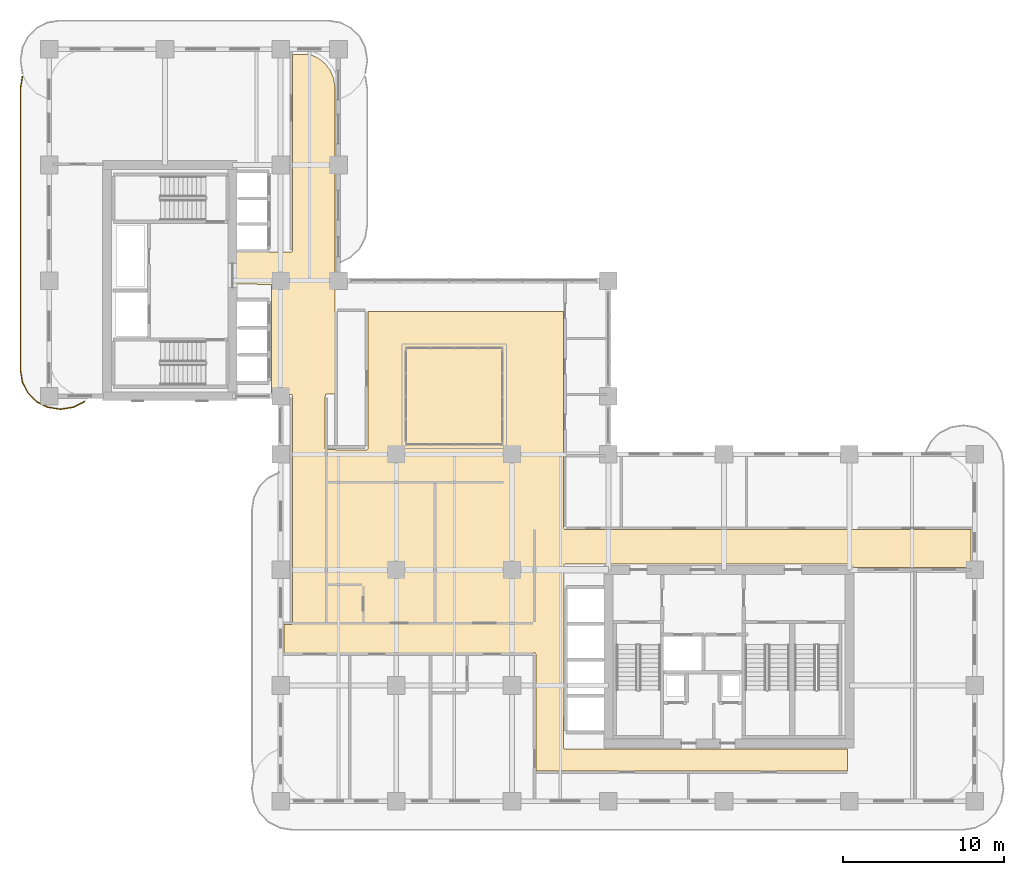
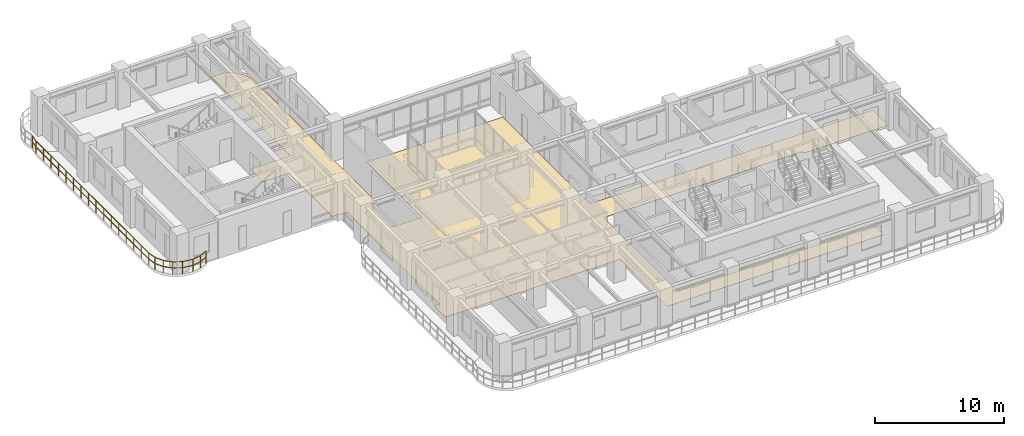
# One storey, part 18 of 19: 1 covering, 1 railing.
"""IFC4 building model written with IfcOpenShell, lengths in metres."""

from ifc_helpers import new_model, si_unit, derived_unit, direction, frame, origin, origin_2d, place, context, subcontext, project, spatial, polyline, rectangle, outline, extrude, material, layer, layer_set, type_object, element, save


model = new_model("IFC4")

# Units and contexts
model_context = context("Model", 3, precision=1e-05, world=origin(), true_north=direction((0.0, 1.0)))
body_context = subcontext(model_context, "Body", "Model", "MODEL_VIEW")
ifc_project = project(units=[si_unit("LENGTHUNIT", "METRE"), si_unit("AREAUNIT", "SQUARE_METRE"), si_unit("VOLUMEUNIT", "CUBIC_METRE"), si_unit("PLANEANGLEUNIT", "RADIAN"), si_unit("MASSUNIT", "GRAM", prefix="KILO"), si_unit("THERMODYNAMICTEMPERATUREUNIT", "KELVIN"), si_unit("POWERUNIT", "WATT"), derived_unit("THERMALTRANSMITTANCEUNIT", [(si_unit("POWERUNIT", "WATT"), 1), (si_unit("AREAUNIT", "SQUARE_METRE"), -1), (si_unit("THERMODYNAMICTEMPERATUREUNIT", "KELVIN"), -1)])], contexts=[model_context])

# Site, building, storey
site_placement = place(None, origin())
site = spatial("IfcSite", under=ifc_project, at=site_placement, CompositionType="ELEMENT")
building_placement = place(site_placement, origin())
building = spatial("IfcBuilding", under=site, at=building_placement, Name="Zahravan Archway Hotel and Residences", CompositionType="ELEMENT")
storey_placement = place(building_placement, frame((0.0, 0.0, 102.699951171875)))
storey = spatial("IfcBuildingStorey", under=building, at=storey_placement, Name="L25", CompositionType="ELEMENT", Elevation=102.699951171875)

# Covering
ifc_material_1 = material(Name="Engineered Walnut Parquet Flooring")
ifc_layer = layer(ifc_material_1, 0.02197265625, Name="Engineered Walnut Parquet Flooring")
ifc_layer_set = layer_set([ifc_layer], Name="Engineered Walnut Parquet Flooring")
covering_type = type_object("IfcCoveringType", Name="COV-FLR-TIMB", PredefinedType="FLOORING", material=ifc_layer_set)
covering_placement = place(storey_placement, origin())
element("IfcCovering", 1, at=covering_placement, inside=storey, type_object=covering_type, Name="L25 Circulation Floor Finish", PredefinedType="FLOORING", context=body_context, shape_type="SweptSolid", body=[
    extrude(outline(polyline([(32.021484375, 3.309326171875), (32.04345703125, 3.268310546875), (32.08447265625, 3.24658203125), (49.669921875, 3.2451171875), (49.669921875, 1.8798828125), (30.280029296875, 1.8798828125), (30.280029296875, 9.14990234375), (30.2666015625, 9.1943359375), (30.230712890625, 9.223876953125), (14.6201171875, 9.22998046875), (14.6201171875, 10.989990234375), (15.050048828125, 10.989990234375), (15.094482421875, 11.00341796875), (15.123779296875, 11.039306640625), (15.1298828125, 25.25), (15.116455078125, 25.29443359375), (15.08056640625, 25.323974609375), (14.5771484375, 25.330078125), (14.53955078125, 25.3701171875), (14.503662109375, 25.39404296875), (14.4638671875, 25.410400390625), (14.421630859375, 25.4189453125), (13.830078125, 25.419921875), (13.830078125, 32.10009765625), (13.81640625, 32.144287109375), (13.780517578125, 32.173828125), (11.530029296875, 32.179931640625), (11.530029296875, 34.169921875), (15.050048828125, 34.169921875), (15.094482421875, 34.18359375), (15.123779296875, 34.219482421875), (15.1298828125, 46.469970703125), (16.24560546875, 46.469970703125), (16.689208984375, 46.286376953125), (17.14013671875, 45.940185546875), (17.486328125, 45.489013671875), (17.703857421875, 44.9638671875), (17.77001953125, 44.46142578125), (17.77001953125, 25.330078125), (17.25, 25.330078125), (17.20556640625, 25.31640625), (17.176025390625, 25.280517578125), (17.169921875, 21.949951171875), (17.18359375, 21.905517578125), (17.219482421875, 21.876220703125), (19.75, 21.8701171875), (19.79443359375, 21.883544921875), (19.823974609375, 21.91943359375), (19.830078125, 30.469970703125), (32.02001953125, 30.469970703125), (32.02001953125, 17.0), (32.033447265625, 16.95556640625), (32.0693359375, 16.926025390625), (57.3798828125, 16.919921875), (57.3798828125, 14.530029296875), (49.830078125, 14.530029296875), (49.830078125, 14.675048828125), (49.81640625, 14.719482421875), (49.780517578125, 14.748779296875), (32.10009765625, 14.7548828125), (32.0556640625, 14.741455078125), (32.026123046875, 14.70556640625), (32.02001953125, 3.324951171875), (32.021484375, 3.309326171875)])), origin(), (0.0, 0.0, 1.0), 0.02197265625),
])

# Railing
ifc_material_2 = material(Name="Bronze & Laminated Glass Balustrade", Category="glass")
railing_type = type_object("IfcRailingType", Name="RL-BAL-1200", PredefinedType="BALUSTRADE", material=ifc_material_2)
railing_placement = place(storey_placement, frame((2.190185546875, 24.867919921875, 0.0)))
element("IfcRailing", 2, at=railing_placement, inside=storey, type_object=railing_type, Name="L25 Balustrade RL-SLB-BAL-L25-WB-1", PredefinedType="BALUSTRADE", context=body_context, shape_type="SweptSolid", body=[
    extrude(rectangle(XDim=0.048095703125, YDim=0.048095703125, at=origin_2d()), frame((0.0, 0.0, 1.17578125), z_axis=(-0.891090529897, -0.453825591531, 0.0), x_axis=(0.453825591531, -0.891090529897, 0.0)), (0.0, 0.0, 1.0), 0.7666015625),
    extrude(rectangle(XDim=0.048095703125, YDim=0.048095703125, at=origin_2d()), frame((0.0, 0.0, 0.60009765625), z_axis=(-0.891090529897, -0.453825591531, 0.0), x_axis=(0.453825591531, -0.891090529897, 0.0)), (0.0, 0.0, 1.0), 0.7666015625),
    extrude(rectangle(XDim=0.048095703125, YDim=0.048095703125, at=origin_2d()), frame((-0.68310546875, -0.347900390625, 1.17578125), z_axis=(-0.987646484274, -0.156698507018, 0.0), x_axis=(0.156698507018, -0.987646484274, 0.0)), (0.0, 0.0, 1.0), 0.7666015625),
    extrude(rectangle(XDim=0.048095703125, YDim=0.048095703125, at=origin_2d()), frame((-0.68310546875, -0.347900390625, 0.60009765625), z_axis=(-0.987646484274, -0.156698507018, 0.0), x_axis=(0.156698507018, -0.987646484274, 0.0)), (0.0, 0.0, 1.0), 0.7666015625),
    extrude(rectangle(XDim=0.048095703125, YDim=0.048095703125, at=origin_2d()), frame((-1.440185546875, -0.468017578125, 1.17578125), z_axis=(-1.0, 0.0, 0.0), x_axis=(0.0, -1.0, 0.0)), (0.0, 0.0, 1.0), 0.10009765625),
    extrude(rectangle(XDim=0.048095703125, YDim=0.048095703125, at=origin_2d()), frame((-1.440185546875, -0.468017578125, 0.60009765625), z_axis=(-1.0, 0.0, 0.0), x_axis=(0.0, -1.0, 0.0)), (0.0, 0.0, 1.0), 0.10009765625),
    extrude(rectangle(XDim=0.048095703125, YDim=0.048095703125, at=origin_2d()), frame((-1.540283203125, -0.468017578125, 1.17578125), z_axis=(-0.987646484274, 0.156698507018, 0.0), x_axis=(-0.156698507018, -0.987646484274, 0.0)), (0.0, 0.0, 1.0), 0.7666015625),
    extrude(rectangle(XDim=0.048095703125, YDim=0.048095703125, at=origin_2d()), frame((-1.540283203125, -0.468017578125, 0.60009765625), z_axis=(-0.987646484274, 0.156698507018, 0.0), x_axis=(-0.156698507018, -0.987646484274, 0.0)), (0.0, 0.0, 1.0), 0.7666015625),
    extrude(rectangle(XDim=0.048095703125, YDim=0.048095703125, at=origin_2d()), frame((-2.29736328125, -0.347900390625, 1.17578125), z_axis=(-0.891024909783, 0.453954414172, 0.0), x_axis=(-0.453954414172, -0.891024909783, 0.0)), (0.0, 0.0, 1.0), 0.766357421875),
    extrude(rectangle(XDim=0.048095703125, YDim=0.048095703125, at=origin_2d()), frame((-2.29736328125, -0.347900390625, 0.60009765625), z_axis=(-0.891024909783, 0.453954414172, 0.0), x_axis=(-0.453954414172, -0.891024909783, 0.0)), (0.0, 0.0, 1.0), 0.766357421875),
    extrude(rectangle(XDim=0.048095703125, YDim=0.048095703125, at=origin_2d()), frame((-2.980224609375, 0.0, 1.17578125), z_axis=(-0.707106781187, 0.707106781187, 0.0), x_axis=(-0.707106781187, -0.707106781187, 0.0)), (0.0, 0.0, 1.0), 0.7666015625),
    extrude(rectangle(XDim=0.048095703125, YDim=0.048095703125, at=origin_2d()), frame((-2.980224609375, 0.0, 0.60009765625), z_axis=(-0.707106781187, 0.707106781187, 0.0), x_axis=(-0.707106781187, -0.707106781187, 0.0)), (0.0, 0.0, 1.0), 0.7666015625),
    extrude(rectangle(XDim=0.048095703125, YDim=0.048095703125, at=origin_2d()), frame((-3.522216796875, 0.5419921875, 1.17578125), z_axis=(-0.454078418624, 0.890961721815, 0.0), x_axis=(-0.890961721815, -0.454078418624, 0.0)), (0.0, 0.0, 1.0), 0.7666015625),
    extrude(rectangle(XDim=0.048095703125, YDim=0.048095703125, at=origin_2d()), frame((-3.522216796875, 0.5419921875, 0.60009765625), z_axis=(-0.454078418624, 0.890961721815, 0.0), x_axis=(-0.890961721815, -0.454078418624, 0.0)), (0.0, 0.0, 1.0), 0.7666015625),
    extrude(rectangle(XDim=0.048095703125, YDim=0.048095703125, at=origin_2d()), frame((-3.870361328125, 1.22509765625, 1.17578125), z_axis=(-0.156387811283, 0.987695728695, 0.0), x_axis=(-0.987695728695, -0.156387811283, 0.0)), (0.0, 0.0, 1.0), 0.7666015625),
    extrude(rectangle(XDim=0.048095703125, YDim=0.048095703125, at=origin_2d()), frame((-3.870361328125, 1.22509765625, 0.60009765625), z_axis=(-0.156387811283, 0.987695728695, 0.0), x_axis=(-0.987695728695, -0.156387811283, 0.0)), (0.0, 0.0, 1.0), 0.7666015625),
    extrude(rectangle(XDim=0.048095703125, YDim=0.048095703125, at=origin_2d()), frame((-3.990234375, 1.982177734375, 1.17578125), z_axis=(0.0, 1.0, 0.0), x_axis=(-1.0, 0.0, 0.0)), (0.0, 0.0, 1.0), 17.5),
    extrude(rectangle(XDim=0.048095703125, YDim=0.048095703125, at=origin_2d()), frame((-3.990234375, 1.982177734375, 0.60009765625), z_axis=(0.0, 1.0, 0.0), x_axis=(-1.0, 0.0, 0.0)), (0.0, 0.0, 1.0), 17.5),
    extrude(rectangle(XDim=0.048095703125, YDim=0.048095703125, at=origin_2d()), frame((-3.990234375, 19.482177734375, 1.17578125), z_axis=(0.156387811283, 0.987695728695, 0.0), x_axis=(-0.987695728695, 0.156387811283, 0.0)), (0.0, 0.0, 1.0), 0.7666015625),
    extrude(rectangle(XDim=0.048095703125, YDim=0.048095703125, at=origin_2d()), frame((-3.990234375, 19.482177734375, 0.60009765625), z_axis=(0.156387811283, 0.987695728695, 0.0), x_axis=(-0.987695728695, 0.156387811283, 0.0)), (0.0, 0.0, 1.0), 0.7666015625),
    extrude(rectangle(XDim=0.0419921875, YDim=0.0419921875, at=origin_2d()), origin(), (0.0, 0.0, 1.0), 1.15185546875),
    extrude(rectangle(XDim=0.0419921875, YDim=0.0419921875, at=origin_2d()), frame((-0.68310546875, -0.347900390625, 0.0)), (0.0, 0.0, 1.0), 1.15185546875),
    extrude(rectangle(XDim=0.0419921875, YDim=0.0419921875, at=origin_2d()), frame((-1.440185546875, -0.468017578125, 0.0)), (0.0, 0.0, 1.0), 1.15185546875),
    extrude(rectangle(XDim=0.0419921875, YDim=0.0419921875, at=origin_2d()), frame((-2.29736328125, -0.347900390625, 0.0)), (0.0, 0.0, 1.0), 1.15185546875),
    extrude(rectangle(XDim=0.0419921875, YDim=0.0419921875, at=origin_2d()), frame((-2.980224609375, 0.0, 0.0)), (0.0, 0.0, 1.0), 1.15185546875),
    extrude(rectangle(XDim=0.0419921875, YDim=0.0419921875, at=origin_2d()), frame((-3.522216796875, 0.5419921875, 0.0)), (0.0, 0.0, 1.0), 1.15185546875),
    extrude(rectangle(XDim=0.0419921875, YDim=0.0419921875, at=origin_2d()), frame((-3.870361328125, 1.22509765625, 0.0)), (0.0, 0.0, 1.0), 1.15185546875),
    extrude(rectangle(XDim=0.0419921875, YDim=0.0419921875, at=origin_2d()), frame((-3.990234375, 1.982177734375, 0.0)), (0.0, 0.0, 1.0), 1.15185546875),
    extrude(rectangle(XDim=0.0419921875, YDim=0.0419921875, at=origin_2d()), frame((-3.990234375, 3.14892578125, 0.0)), (0.0, 0.0, 1.0), 1.15185546875),
    extrude(rectangle(XDim=0.0419921875, YDim=0.0419921875, at=origin_2d()), frame((-3.990234375, 4.3154296875, 0.0)), (0.0, 0.0, 1.0), 1.15185546875),
    extrude(rectangle(XDim=0.0419921875, YDim=0.0419921875, at=origin_2d()), frame((-3.990234375, 5.482177734375, 0.0)), (0.0, 0.0, 1.0), 1.15185546875),
    extrude(rectangle(XDim=0.0419921875, YDim=0.0419921875, at=origin_2d()), frame((-3.990234375, 6.64892578125, 0.0)), (0.0, 0.0, 1.0), 1.15185546875),
    extrude(rectangle(XDim=0.0419921875, YDim=0.0419921875, at=origin_2d()), frame((-3.990234375, 7.8154296875, 0.0)), (0.0, 0.0, 1.0), 1.15185546875),
    extrude(rectangle(XDim=0.0419921875, YDim=0.0419921875, at=origin_2d()), frame((-3.990234375, 8.982177734375, 0.0)), (0.0, 0.0, 1.0), 1.15185546875),
    extrude(rectangle(XDim=0.0419921875, YDim=0.0419921875, at=origin_2d()), frame((-3.990234375, 10.14892578125, 0.0)), (0.0, 0.0, 1.0), 1.15185546875),
    extrude(rectangle(XDim=0.0419921875, YDim=0.0419921875, at=origin_2d()), frame((-3.990234375, 11.3154296875, 0.0)), (0.0, 0.0, 1.0), 1.15185546875),
    extrude(rectangle(XDim=0.0419921875, YDim=0.0419921875, at=origin_2d()), frame((-3.990234375, 12.482177734375, 0.0)), (0.0, 0.0, 1.0), 1.15185546875),
    extrude(rectangle(XDim=0.0419921875, YDim=0.0419921875, at=origin_2d()), frame((-3.990234375, 13.64892578125, 0.0)), (0.0, 0.0, 1.0), 1.15185546875),
    extrude(rectangle(XDim=0.0419921875, YDim=0.0419921875, at=origin_2d()), frame((-3.990234375, 14.8154296875, 0.0)), (0.0, 0.0, 1.0), 1.15185546875),
    extrude(rectangle(XDim=0.0419921875, YDim=0.0419921875, at=origin_2d()), frame((-3.990234375, 15.982177734375, 0.0)), (0.0, 0.0, 1.0), 1.15185546875),
    extrude(rectangle(XDim=0.0419921875, YDim=0.0419921875, at=origin_2d()), frame((-3.990234375, 17.14892578125, 0.0)), (0.0, 0.0, 1.0), 1.15185546875),
    extrude(rectangle(XDim=0.0419921875, YDim=0.0419921875, at=origin_2d()), frame((-3.990234375, 18.3154296875, 0.0)), (0.0, 0.0, 1.0), 1.15185546875),
    extrude(rectangle(XDim=0.0419921875, YDim=0.0419921875, at=origin_2d()), frame((-3.990234375, 19.482177734375, 0.0)), (0.0, 0.0, 1.0), 1.15185546875),
    extrude(rectangle(XDim=0.0419921875, YDim=0.0419921875, at=origin_2d()), frame((-3.870361328125, 20.2392578125, 0.0)), (0.0, 0.0, 1.0), 1.15185546875),
])

save(model, "model.ifc")
